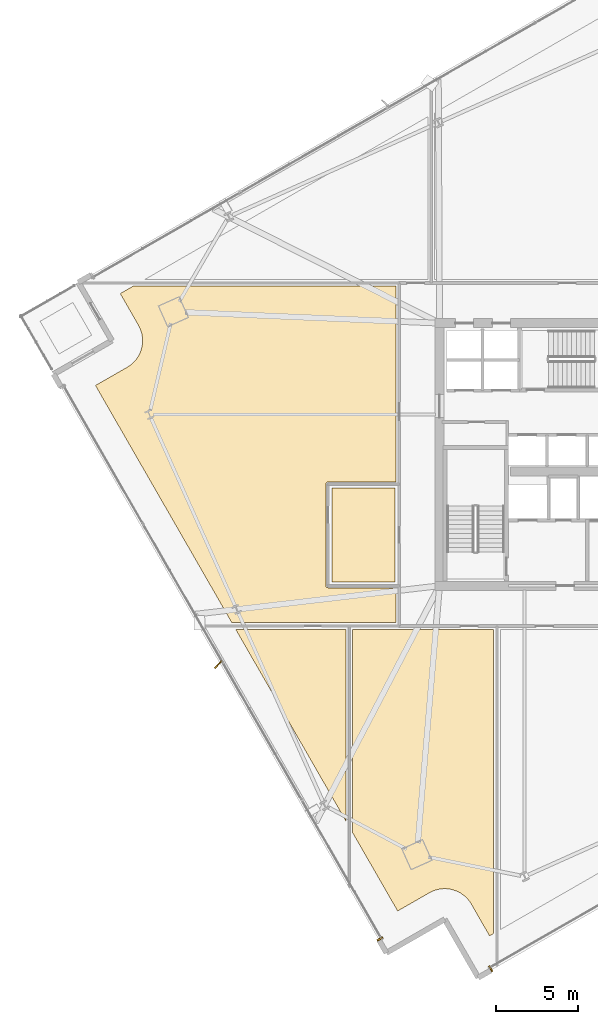
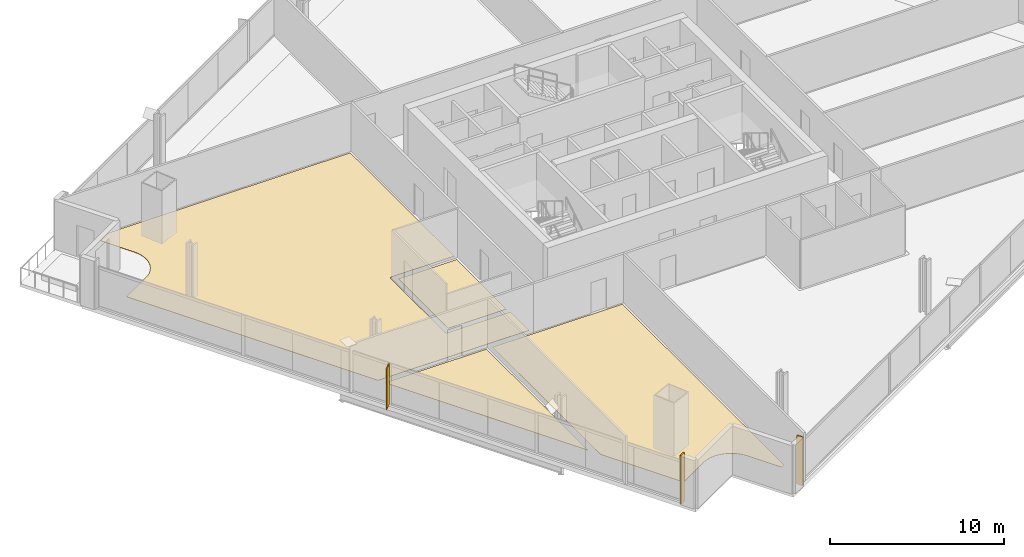
# One storey, part 27 of 33: 6 coverings, 1 shading device.
"""IFC4 building model written with IfcOpenShell, lengths in metres."""

import ifcopenshell
import ifcopenshell.guid

model = None  # the IFC model being written
_history = None  # IfcOwnerHistory: only IFC2X3 demands one
_inside = {}  # id of a spatial element -> (the spatial element, [elements in it])
_under = {}  # id of a project, library or spatial element -> (it, [spatial elements below it])
_declared = {}  # id of a project -> (the project, [libraries it declares])
_typed = {}  # id of a type object -> (the type object, [elements of that type])
_made_of = {}  # id of a material, layer set ... -> (it, [elements and type objects made of it])


def new_model(schema):
    """Start an empty IFC model of exactly this schema.

    Asked for "IFC4X3", IfcOpenShell would pick the latest addendum, in which some entities
    have other attributes; the version numbers below select the first issue.
    IFC2X3 requires an IfcOwnerHistory on every rooted entity: one is made here for all.
    """
    global model, _history
    if schema == "IFC4X3":
        model = ifcopenshell.file(schema_version=(4, 3, 0, 0))
    else:
        model = ifcopenshell.file(schema=schema)
    _inside.clear()
    _under.clear()
    _declared.clear()
    _typed.clear()
    _made_of.clear()
    _history = None
    if model.schema == "IFC2X3":
        org = make("IfcOrganization", Name="unknown")
        user = make(
            "IfcPersonAndOrganization",
            ThePerson=make("IfcPerson", FamilyName="unknown"),
            TheOrganization=org,
        )
        app = make(
            "IfcApplication",
            ApplicationDeveloper=org,
            Version="unknown",
            ApplicationFullName="unknown",
            ApplicationIdentifier="unknown",
        )
        _history = make(
            "IfcOwnerHistory",
            OwningUser=user,
            OwningApplication=app,
            ChangeAction="ADDED",
            CreationDate=0,
        )
    return model


def make(cls, **values):
    """One entity of the class cls with the attributes given. An attribute that is None is left unset."""
    return model.create_entity(
        cls, **{name: value for name, value in values.items() if value is not None}
    )


def rooted(cls, **values):
    """An entity with a GlobalId (a new one), such as an element, a storey or a relation."""
    return make(cls, GlobalId=ifcopenshell.guid.new(), OwnerHistory=_history, **values)


def si_unit(unit_type, name, prefix=None):
    """IfcSIUnit, for example si_unit("LENGTHUNIT", "METRE", prefix="MILLI")."""
    return make("IfcSIUnit", UnitType=unit_type, Prefix=prefix, Name=name)


def assignment(units):
    """IfcUnitAssignment: the units of a project."""
    return None if units is None else make("IfcUnitAssignment", Units=units)


def point(xyz):
    """IfcCartesianPoint."""
    return None if xyz is None else make("IfcCartesianPoint", Coordinates=xyz)


def direction(xyz):
    """IfcDirection."""
    return None if xyz is None else make("IfcDirection", DirectionRatios=xyz)


def frame(location, z_axis=None, x_axis=None):
    """IfcAxis2Placement3D, a coordinate frame: its origin and axes. An axis left out is left unset."""
    return make(
        "IfcAxis2Placement3D",
        Location=point(location),
        Axis=direction(z_axis),
        RefDirection=direction(x_axis),
    )


def frame_2d(location, x_axis=None):
    """IfcAxis2Placement2D, a coordinate frame in the plane: its origin and x axis."""
    return make(
        "IfcAxis2Placement2D", Location=point(location), RefDirection=direction(x_axis)
    )


def origin():
    """The frame at (0, 0, 0) with its axes left unset."""
    return frame((0.0, 0.0, 0.0))


def origin_2d():
    """The frame at (0, 0) in the plane with its x axis left unset."""
    return frame_2d((0.0, 0.0))


def place(relative_to, where):
    """IfcLocalPlacement: puts the frame where relative to a parent placement (None: the world)."""
    return make(
        "IfcLocalPlacement", PlacementRelTo=relative_to, RelativePlacement=where
    )


def context(
    kind, dimensions, precision=None, world=None, true_north=None, identifier=None
):
    """IfcGeometricRepresentationContext, for example the 3D "Model" context."""
    return make(
        "IfcGeometricRepresentationContext",
        ContextIdentifier=identifier,
        ContextType=kind,
        CoordinateSpaceDimension=dimensions,
        Precision=precision,
        WorldCoordinateSystem=world,
        TrueNorth=true_north,
    )


def subcontext(parent, identifier, kind, view, scale=None):
    """IfcGeometricRepresentationSubContext, for example "Body" below "Model"."""
    return make(
        "IfcGeometricRepresentationSubContext",
        ContextIdentifier=identifier,
        ContextType=kind,
        ParentContext=parent,
        TargetScale=scale,
        TargetView=view,
    )


def project(units=None, contexts=None):
    """IfcProject with its units and contexts."""
    return rooted(
        "IfcProject",
        Name="project",
        RepresentationContexts=contexts,
        UnitsInContext=assignment(units),
    )


def spatial(cls, under=None, at=None, **own):
    """A site, building, storey or space (cls), placed at a placement, below another one or the project."""
    s = rooted(cls, ObjectPlacement=at, **own)
    if under is not None:
        _under.setdefault(under.id(), (under, []))[1].append(s)
    return s


def polyline(points):
    """IfcPolyline through the points."""
    return make("IfcPolyline", Points=[point(p) for p in points])


def profile(cls, at=None, kind="AREA", **sizes):
    """A parametric profile (cls). Its sizes go by their IFC names, for example OverallWidth=200.0."""
    return make(cls, ProfileType=kind, Position=at, **sizes)


def rectangle(**sizes):
    """IfcRectangleProfileDef."""
    return profile("IfcRectangleProfileDef", **sizes)


def outline(outer, holes=None, kind="AREA"):
    """IfcArbitraryClosedProfileDef: a profile drawn as a closed curve; with holes, ...WithVoids."""
    if holes is None:
        return make("IfcArbitraryClosedProfileDef", ProfileType=kind, OuterCurve=outer)
    return make(
        "IfcArbitraryProfileDefWithVoids",
        ProfileType=kind,
        OuterCurve=outer,
        InnerCurves=holes,
    )


def extrude(swept, where, along, depth):
    """IfcExtrudedAreaSolid: the profile swept, set in the frame where, extruded along a direction by depth."""
    return make(
        "IfcExtrudedAreaSolid",
        SweptArea=swept,
        Position=where,
        ExtrudedDirection=direction(along),
        Depth=depth,
    )


def shape(context_of_items, identifier, shape_type, items):
    """IfcShapeRepresentation: the items that make up one representation, for example the "Body"."""
    return make(
        "IfcShapeRepresentation",
        ContextOfItems=context_of_items,
        RepresentationIdentifier=identifier,
        RepresentationType=shape_type,
        Items=items,
    )


def source(mapping_origin, context_of_items, identifier, shape_type, items):
    """IfcRepresentationMap: a shape defined once, which mapped items show again and again."""
    return make(
        "IfcRepresentationMap",
        MappingOrigin=mapping_origin,
        MappedRepresentation=shape(context_of_items, identifier, shape_type, items),
    )


def transform(
    local_origin,
    x_axis=None,
    y_axis=None,
    z_axis=None,
    scale=None,
    scale2=None,
    scale3=None,
    uniform=True,
):
    """IfcCartesianTransformationOperator3D, or its non-uniform kind. x_axis, y_axis, z_axis: its Axis1, 2, 3."""
    if uniform:
        return make(
            "IfcCartesianTransformationOperator3D",
            Axis1=direction(x_axis),
            Axis2=direction(y_axis),
            LocalOrigin=point(local_origin),
            Scale=scale,
            Axis3=direction(z_axis),
        )
    return make(
        "IfcCartesianTransformationOperator3DnonUniform",
        Axis1=direction(x_axis),
        Axis2=direction(y_axis),
        LocalOrigin=point(local_origin),
        Scale=scale,
        Axis3=direction(z_axis),
        Scale2=scale2,
        Scale3=scale3,
    )


def mapped(mapping_source, mapping_target):
    """IfcMappedItem: shows the shape of a source again, moved by a transform."""
    return make(
        "IfcMappedItem", MappingSource=mapping_source, MappingTarget=mapping_target
    )


def material(Name=None, Category=None):
    """IfcMaterial."""
    return make("IfcMaterial", Name=Name, Category=Category)


def layer(
    of_material, thickness, ventilated=None, Name=None, Category=None, Priority=None
):
    """IfcMaterialLayer: one layer of a wall or slab, of a material (None: an air gap)."""
    return make(
        "IfcMaterialLayer",
        Material=of_material,
        LayerThickness=thickness,
        IsVentilated=ventilated,
        Name=Name,
        Category=Category,
        Priority=Priority,
    )


def layer_set(layers, Name=None):
    """IfcMaterialLayerSet."""
    return make("IfcMaterialLayerSet", MaterialLayers=layers, LayerSetName=Name)


def made_of(thing, what):
    """Note that an element or type object is made of a material, layer set ...; save() writes the relation."""
    if what is not None:
        _made_of.setdefault(what.id(), (what, []))[1].append(thing)
    return thing


def type_object(cls, material=None, **own):
    """A type object (cls), such as IfcWallType, which elements share."""
    return made_of(rooted(cls, **own), material)


def element(
    cls,
    number,
    at=None,
    inside=None,
    cuts=None,
    type_object=None,
    material=None,
    context=None,
    identifier="Body",
    shape_type=None,
    held_by="IfcProductDefinitionShape",
    body=None,
    shapes=None,
    **own,
):
    """One element of the class cls, such as IfcWall. Its Tag is "e" and its number.

    at: its placement. inside: the storey or other place that contains it. cuts: it is an
    opening in that element (IfcRelVoidsElement). A single representation is given by context,
    identifier, shape_type and body (its items); several are given by shapes. held_by: the class
    of the entity that holds the representations. save() writes the other relations.
    """
    e = rooted(cls, Tag="e%d" % number, ObjectPlacement=at, **own)
    if body is not None:
        shapes = [shape(context, identifier, shape_type, body)]
    if shapes is not None:
        e.Representation = make(held_by, Representations=shapes)
    if inside is not None:
        _inside.setdefault(inside.id(), (inside, []))[1].append(e)
    if cuts is not None:
        rooted(
            "IfcRelVoidsElement", RelatingBuildingElement=cuts, RelatedOpeningElement=e
        )
    if type_object is not None:
        _typed.setdefault(type_object.id(), (type_object, []))[1].append(e)
    return made_of(e, material)


def aggregate(whole, parts):
    """IfcRelAggregates: a whole, such as a stair, and the parts it consists of."""
    return rooted("IfcRelAggregates", RelatingObject=whole, RelatedObjects=parts)


def save(model, path):
    """Write the relations noted so far, then the file.

    IfcRelAggregates (storeys below a building ...), IfcRelContainedInSpatialStructure (elements
    in a storey), IfcRelDefinesByType, IfcRelAssociatesMaterial and IfcRelDeclares: one each for
    every whole, place, type object, material and project.
    """
    for whole, parts in _under.values():
        aggregate(whole, parts)
    for where, things in _inside.values():
        rooted(
            "IfcRelContainedInSpatialStructure",
            RelatedElements=things,
            RelatingStructure=where,
        )
    for kind, things in _typed.values():
        rooted("IfcRelDefinesByType", RelatedObjects=things, RelatingType=kind)
    for what, things in _made_of.values():
        rooted("IfcRelAssociatesMaterial", RelatedObjects=things, RelatingMaterial=what)
    for by, libraries in _declared.values():
        rooted("IfcRelDeclares", RelatingContext=by, RelatedDefinitions=libraries)
    model.write(path)


model = new_model("IFC4")

# Units and contexts
model_context = context("Model", 3, precision=1e-05, world=origin(), true_north=direction((0.0, 1.0)))
body_context = subcontext(model_context, "Body", "Model", "MODEL_VIEW")
ifc_project = project(units=[si_unit("LENGTHUNIT", "METRE"), si_unit("AREAUNIT", "SQUARE_METRE"), si_unit("VOLUMEUNIT", "CUBIC_METRE"), si_unit("PLANEANGLEUNIT", "RADIAN"), si_unit("MASSUNIT", "GRAM", prefix="KILO")], contexts=[model_context])

# Site, building, storey
site_placement = place(None, origin())
site = spatial("IfcSite", under=ifc_project, at=site_placement, CompositionType="ELEMENT")
building_placement = place(site_placement, origin())
building = spatial("IfcBuilding", under=site, at=building_placement, Name="Haldenkirk Collegiate Tower", CompositionType="ELEMENT")
storey_placement = place(building_placement, frame((0.0, 0.0, 127.949951171875)))
storey = spatial("IfcBuildingStorey", under=building, at=storey_placement, Name="L31", CompositionType="ELEMENT", Elevation=127.949951171875)

# Coverings
ifc_material_1 = material(Name="Polished collegiate terrazzo", Category="concrete")
ifc_layer_1 = layer(ifc_material_1, 0.02490234375)
ifc_layer_set_1 = layer_set([ifc_layer_1], Name="Polished collegiate terrazzo")
covering_type_1 = type_object("IfcCoveringType", Name="COV-FLOOR-TERRAZZO", PredefinedType="FLOORING", material=ifc_layer_set_1)
covering_1_placement = place(storey_placement, origin())
element("IfcCovering", 1, at=covering_1_placement, inside=storey, type_object=covering_type_1, Name="L31 academic room finish 02", PredefinedType="FLOORING", context=body_context, shape_type="SweptSolid", body=[
    extrude(outline(polyline([(14.577392578125, 15.35009765625), (21.300048828125, 15.35009765625), (21.300048828125, 3.6591796875), (14.577392578125, 15.35009765625)])), origin(), (0.0, 0.0, 1.0), 0.025146484375),
])
covering_2_placement = place(storey_placement, origin())
element("IfcCovering", 2, at=covering_2_placement, inside=storey, type_object=covering_type_1, Name="L31 academic room finish 08", PredefinedType="FLOORING", context=body_context, shape_type="SweptSolid", body=[
    extrude(outline(polyline([(7.9697265625, 31.314697265625), (7.974609375, 31.317626953125), (8.119140625, 31.410400390625), (8.12890625, 31.41748046875), (8.263671875, 31.52392578125), (8.2724609375, 31.53173828125), (8.39599609375, 31.65087890625), (8.404296875, 31.659423828125), (8.515380859375, 31.790283203125), (8.522705078125, 31.799560546875), (8.62060546875, 31.940673828125), (8.626953125, 31.95068359375), (8.710693359375, 32.1005859375), (8.7158203125, 32.111083984375), (8.784423828125, 32.2685546875), (8.78857421875, 32.279541015625), (8.84130859375, 32.443115234375), (8.844482421875, 32.454345703125), (8.881103515625, 32.622314453125), (8.8828125, 32.6337890625), (8.90283203125, 32.80419921875), (8.90380859375, 32.816162109375), (8.90673828125, 32.98779296875), (8.906494140625, 32.99951171875), (8.892578125, 33.1708984375), (8.89111328125, 33.182373046875), (8.860595703125, 33.351318359375), (8.85791015625, 33.363037109375), (8.81103515625, 33.5283203125), (8.807373046875, 33.539306640625), (8.74462890625, 33.69921875), (8.73974609375, 33.709716796875), (8.66162109375, 33.86279296875), (8.65869140625, 33.867919921875), (7.547119140625, 35.80126953125), (8.32763671875, 36.25), (24.35009765625, 36.25), (24.35009765625, 24.320068359375), (20.199951171875, 24.320068359375), (20.188232421875, 24.3193359375), (20.176513671875, 24.317626953125), (20.165283203125, 24.314697265625), (20.154052734375, 24.310791015625), (20.143310546875, 24.305908203125), (20.13330078125, 24.2998046875), (20.123779296875, 24.292724609375), (20.114990234375, 24.284912109375), (20.107177734375, 24.276123046875), (20.10009765625, 24.2666015625), (20.09423828125, 24.256591796875), (20.089111328125, 24.245849609375), (20.085205078125, 24.23486328125), (20.082275390625, 24.223388671875), (20.08056640625, 24.2119140625), (20.080078125, 24.199951171875), (20.080078125, 18.0), (20.08056640625, 17.98828125), (20.082275390625, 17.9765625), (20.085205078125, 17.965087890625), (20.089111328125, 17.9541015625), (20.09423828125, 17.943359375), (20.10009765625, 17.933349609375), (20.107177734375, 17.923828125), (20.114990234375, 17.9150390625), (20.123779296875, 17.9072265625), (20.13330078125, 17.900146484375), (20.143310546875, 17.894287109375), (20.154052734375, 17.88916015625), (20.165283203125, 17.88525390625), (20.176513671875, 17.88232421875), (20.188232421875, 17.880615234375), (20.199951171875, 17.8798828125), (24.35009765625, 17.8798828125), (24.35009765625, 15.75), (14.347412109375, 15.75), (6.03662109375, 30.203125), (7.9697265625, 31.314697265625)])), origin(), (0.0, 0.0, 1.0), 0.025146484375),
])
ifc_material_2 = material(Name="Engineered collegiate oak acoustic flooring", Category="wood")
ifc_layer_2 = layer(ifc_material_2, 0.02197265625)
ifc_layer_set_2 = layer_set([ifc_layer_2], Name="Engineered collegiate oak acoustic flooring")
covering_type_2 = type_object("IfcCoveringType", Name="COV-FLOOR-TIMBER", PredefinedType="FLOORING", material=ifc_layer_set_2)
covering_3_placement = place(storey_placement, origin())
element("IfcCovering", 3, at=covering_3_placement, inside=storey, type_object=covering_type_2, Name="L31 academic room finish 01", PredefinedType="FLOORING", context=body_context, shape_type="SweptSolid", body=[
    extrude(outline(polyline([(20.43994140625, 18.239990234375), (20.43994140625, 23.9599609375), (24.300048828125, 23.9599609375), (24.300048828125, 18.239990234375), (20.43994140625, 18.239990234375)])), origin(), (0.0, 0.0, 1.0), 0.02197265625),
])
covering_4_placement = place(storey_placement, origin())
element("IfcCovering", 4, at=covering_4_placement, inside=storey, type_object=covering_type_2, Name="L31 academic room finish 03", PredefinedType="FLOORING", context=body_context, shape_type="SweptSolid", body=[
    extrude(outline(polyline([(28.308837890625, -0.7421875), (28.298828125, -0.73583984375), (28.148681640625, -0.652099609375), (28.13818359375, -0.64697265625), (27.980712890625, -0.578369140625), (27.9697265625, -0.57421875), (27.806396484375, -0.521484375), (27.794921875, -0.518310546875), (27.627197265625, -0.481689453125), (27.61572265625, -0.47998046875), (27.445068359375, -0.4599609375), (27.433349609375, -0.458984375), (27.26171875, -0.4560546875), (27.249755859375, -0.456298828125), (27.07861328125, -0.47021484375), (27.06689453125, -0.4716796875), (26.89794921875, -0.502197265625), (26.886474609375, -0.5048828125), (26.72119140625, -0.5517578125), (26.710205078125, -0.555419921875), (26.55029296875, -0.6181640625), (26.53955078125, -0.623046875), (26.38671875, -0.701416015625), (26.381591796875, -0.7041015625), (24.4482421875, -1.81591796875), (21.699951171875, 2.96337890625), (21.699951171875, 15.35009765625), (30.300048828125, 15.35009765625), (30.300048828125, -3.180419921875), (30.04638671875, -3.326416015625), (28.934814453125, -1.39306640625), (28.931640625, -1.38818359375), (28.8388671875, -1.24365234375), (28.83203125, -1.23388671875), (28.725341796875, -1.09912109375), (28.7177734375, -1.09033203125), (28.598388671875, -0.966796875), (28.58984375, -0.95849609375), (28.459228515625, -0.847412109375), (28.449951171875, -0.840087890625), (28.308837890625, -0.7421875)])), origin(), (0.0, 0.0, 1.0), 0.02197265625),
])
ifc_material_3 = material(Name="Anodised architectural bronze aluminium", Category="aluminium")
ifc_layer_3 = layer(ifc_material_3, 0.06005859375)
ifc_layer_set_3 = layer_set([ifc_layer_3], Name="Anodised architectural bronze aluminium")
covering_type_3 = type_object("IfcCoveringType", Name="COV-CLAD-BRONZE-60", PredefinedType="CLADDING", material=ifc_layer_set_3)
shared_shape_1 = source(origin(), body_context, "Body", "SweptSolid", [
    extrude(rectangle(XDim=0.10009765625, YDim=0.3798828125, at=origin_2d()), origin(), (0.0, 0.0, 1.0), 3.39990234375),
])
for number, where, z_axis, x_axis, name in (
    (5, (30.11865234375, -5.337890625, 0.0), (0.0, 0.0, 1.0), (-0.866896748936, -0.498487739754, 0.0), "L31 recessed curtain-wall bronze jamb closure SJR"),
    (6, (23.373779296875, -3.517822265625, 0.0), (0.0, 0.0, 1.0), (-0.498487739754, 0.866896748936, 0.0), "L31 recessed curtain-wall bronze jamb closure WJL"),
):
    element("IfcCovering", number, at=place(storey_placement, frame(where, z_axis=z_axis, x_axis=x_axis)), inside=storey, type_object=covering_type_3, Name=name, PredefinedType="CLADDING", context=body_context, shape_type="MappedRepresentation", body=[
        mapped(shared_shape_1, transform((0.0, 0.0, 0.0), x_axis=(1.0, 0.0, 0.0), y_axis=(0.0, 1.0, 0.0), z_axis=(0.0, 0.0, 1.0), scale=1.0)),
    ])

# Shading device
ifc_layer_4 = layer(ifc_material_3, 0.06494140625)
ifc_layer_set_4 = layer_set([ifc_layer_4], Name="Anodised architectural bronze aluminium")
shading_device_type = type_object("IfcShadingDeviceType", Name="SHD-FIN-BRONZE-620", PredefinedType="USERDEFINED", material=ifc_layer_set_4)
shared_shape_2 = source(origin(), body_context, "Body", "SweptSolid", [
    extrude(rectangle(XDim=0.6201171875, YDim=0.06494140625, at=origin_2d()), origin(), (0.0, 0.0, 1.0), 2.85107421875),
])
shading_device_placement = place(storey_placement, frame((13.521484375, 13.2041015625, 0.0), z_axis=(0.0, 0.0, 1.0), x_axis=(-0.695912796592, -0.718126297763, 0.0)))
element("IfcShadingDevice", 7, at=shading_device_placement, inside=storey, type_object=shading_device_type, Name="L31 folded bronze solar fin 1", ObjectType="FIN", PredefinedType="USERDEFINED", context=body_context, shape_type="MappedRepresentation", body=[
    mapped(shared_shape_2, transform((0.0, 0.0, 0.0), x_axis=(1.0, 0.0, 0.0), y_axis=(0.0, 1.0, 0.0), z_axis=(0.0, 0.0, 1.0), scale=1.0)),
])

save(model, "model.ifc")
